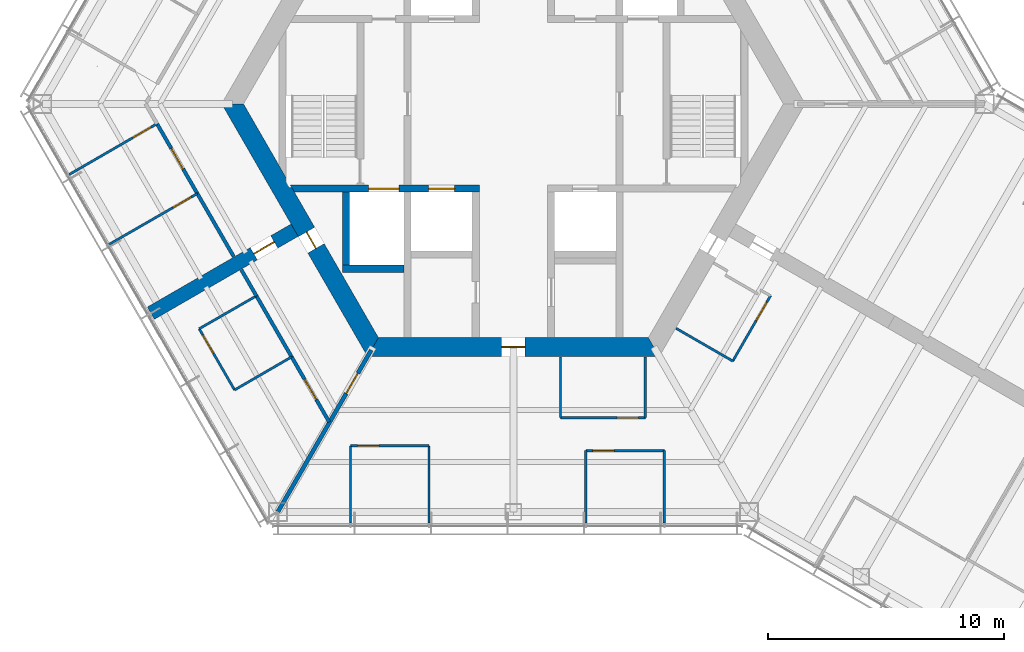
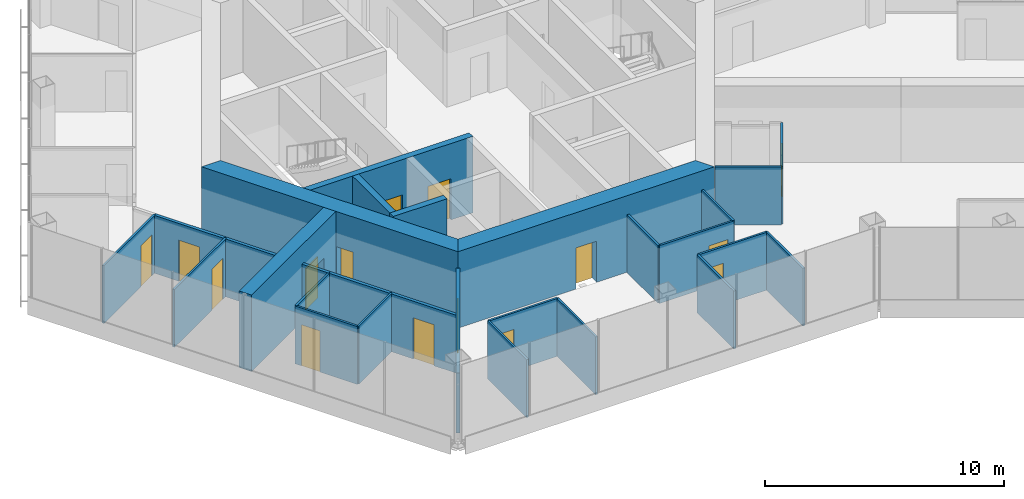
# One storey, part 10 of 17: 28 walls, 15 doors, 15 openings.
"""IFC4 building model written with IfcOpenShell, lengths in metres."""

from ifc_helpers import new_model, si_unit, direction, frame, frame_2d, origin, place, context, subcontext, project, spatial, polyline, rectangle, outline, extrude, material, layer, layer_set, type_object, element, fill, save


model = new_model("IFC4")

# Units and contexts
model_context = context("Model", 3, precision=1e-05, world=origin(), true_north=direction((0.0, 1.0)))
body_context = subcontext(model_context, "Body", "Model", "MODEL_VIEW")
ifc_project = project(units=[si_unit("LENGTHUNIT", "METRE"), si_unit("AREAUNIT", "SQUARE_METRE"), si_unit("VOLUMEUNIT", "CUBIC_METRE"), si_unit("PLANEANGLEUNIT", "RADIAN"), si_unit("MASSUNIT", "GRAM", prefix="KILO")], contexts=[model_context])

# Site, building, storey
site_placement = place(None, origin())
site = spatial("IfcSite", under=ifc_project, at=site_placement, CompositionType="ELEMENT")
building_placement = place(site_placement, origin())
building = spatial("IfcBuilding", under=site, at=building_placement, Name="Kasaneha Research Tower", CompositionType="ELEMENT")
storey_placement = place(building_placement, frame((0.0, 0.0, 228.39990234375)))
storey = spatial("IfcBuildingStorey", under=building, at=storey_placement, Name="L57", CompositionType="ELEMENT", Elevation=228.39990234375)

# Wall, openings, doors
ifc_material_1 = material(Name="Concrete Fc60", Category="concrete")
ifc_layer_1 = layer(ifc_material_1, 0.300048828125)
ifc_layer_set_1 = layer_set([ifc_layer_1], Name="Core internal wall 300 Fc60")
wall_type_1 = type_object("IfcWallType", Name="Core internal wall 300 Fc60", PredefinedType="SHEAR", material=ifc_layer_set_1)
wall_1_placement = place(storey_placement, frame((-9.3818359375, -3.60009765625, 0.0), z_axis=(0.0, 0.0, 1.0), x_axis=(1.0, 0.0, 0.0)))
wall_1 = element("IfcWall", 1, at=wall_1_placement, inside=storey, type_object=wall_type_1, Name="Core wall W2W L57", PredefinedType="SHEAR", context=body_context, shape_type="SweptSolid", body=[
    extrude(outline(polyline([(0.086669921875, -0.14990234375), (3.23193359375, -0.14990234375), (4.531982421875, -0.14990234375), (5.781982421875, -0.14990234375), (6.882080078125, -0.14990234375), (7.931884765625, -0.14990234375), (7.931884765625, 0.14990234375), (6.882080078125, 0.14990234375), (5.781982421875, 0.14990234375), (4.531982421875, 0.14990234375), (3.23193359375, 0.14990234375), (-0.086669921875, 0.14990234375), (0.086669921875, -0.14990234375)])), origin(), (0.0, 0.0, 1.0), 3.900146484375),
])
opening_1_placement = place(wall_1_placement, frame((5.781982421875, 0.0, 0.0)))
opening_1 = element("IfcOpeningElement", 2, at=opening_1_placement, cuts=wall_1, Name="Opening LD-LH1-L57", PredefinedType="OPENING", context=body_context, shape_type="SweptSolid", body=[
    extrude(rectangle(XDim=1.10009765625, YDim=2.10009765625, at=frame_2d((0.550048828125, 1.050048828125))), frame((0.0, 0.16015625, 0.0), z_axis=(0.0, -1.0, 0.0), x_axis=(1.0, 0.0, 0.0)), (0.0, 0.0, 1.0), 0.320068359375),
])
opening_2_placement = place(wall_1_placement, frame((3.23193359375, 0.0, 0.0)))
opening_2 = element("IfcOpeningElement", 3, at=opening_2_placement, cuts=wall_1, Name="Opening LD-FL2-L57", PredefinedType="OPENING", context=body_context, shape_type="SweptSolid", body=[
    extrude(rectangle(XDim=1.300048828125, YDim=2.10009765625, at=frame_2d((0.64990234375, 1.050048828125))), frame((0.0, 0.16015625, 0.0), z_axis=(0.0, -1.0, 0.0), x_axis=(1.0, 0.0, 0.0)), (0.0, 0.0, 1.0), 0.320068359375),
])
ifc_material_2 = material(Name="Steel", Category="steel")
door_type_1 = type_object("IfcDoorType", Name="Lift landing door 1100x2100", OperationType="DOUBLE_DOOR_SLIDING", PredefinedType="DOOR", material=ifc_material_2)
door_1_placement = place(opening_1_placement, origin())
door_1 = element("IfcDoor", 4, at=door_1_placement, inside=storey, type_object=door_type_1, Name="Landing door LH1 LD-LH1-L57", OperationType="DOUBLE_DOOR_SLIDING", OverallHeight=2.10009765625, OverallWidth=1.10009765625, PredefinedType="DOOR", context=body_context, shape_type="SweptSolid", body=[
    extrude(rectangle(XDim=1.10009765625, YDim=2.10009765625, at=frame_2d((0.550048828125, 1.050048828125))), frame((0.0, 0.02490234375, 0.0), z_axis=(0.0, -1.0, 0.0), x_axis=(1.0, 0.0, 0.0)), (0.0, 0.0, 1.0), 0.050048828125),
])
fill(opening_1, door_1)
ifc_material_3 = material(Name="Steel", Category="steel")
door_type_2 = type_object("IfcDoorType", Name="Lift landing door 1300x2100", OperationType="DOUBLE_DOOR_SLIDING", PredefinedType="DOOR", material=ifc_material_3)
door_2_placement = place(opening_2_placement, origin())
door_2 = element("IfcDoor", 5, at=door_2_placement, inside=storey, type_object=door_type_2, Name="Landing door FL2 LD-FL2-L57", OperationType="DOUBLE_DOOR_SLIDING", OverallHeight=2.10009765625, OverallWidth=1.300048828125, PredefinedType="DOOR", context=body_context, shape_type="SweptSolid", body=[
    extrude(rectangle(XDim=1.300048828125, YDim=2.10009765625, at=frame_2d((0.64990234375, 1.050048828125))), frame((0.0, 0.02490234375, 0.0), z_axis=(0.0, -1.0, 0.0), x_axis=(1.0, 0.0, 0.0)), (0.0, 0.0, 1.0), 0.050048828125),
])
fill(opening_2, door_2)

# Walls
wall_2_placement = place(storey_placement, frame((-7.25, -7.0, 0.0), z_axis=(0.0, 0.0, 1.0), x_axis=(1.0, 0.0, 0.0)))
element("IfcWall", 6, at=wall_2_placement, inside=storey, type_object=wall_type_1, Name="Core wall F2S L57", PredefinedType="SHEAR", context=body_context, shape_type="SweptSolid", body=[
    extrude(rectangle(XDim=2.60009765625, YDim=0.300048828125, at=frame_2d((1.300048828125, 0.0))), origin(), (0.0, 0.0, 1.0), 3.900146484375),
])
wall_3_placement = place(storey_placement, frame((-7.10009765625, -3.75, 0.0), z_axis=(0.0, 0.0, 1.0), x_axis=(0.0, -1.0, 0.0)))
element("IfcWall", 7, at=wall_3_placement, inside=storey, type_object=wall_type_1, Name="Core wall F2W L57", PredefinedType="SHEAR", context=body_context, shape_type="SweptSolid", body=[
    extrude(rectangle(XDim=3.10009765625, YDim=0.300048828125, at=frame_2d((1.550048828125, 0.0))), origin(), (0.0, 0.0, 1.0), 3.900146484375),
])

# Wall, opening, door
ifc_material_4 = material(Name="Concrete Fc60", Category="concrete")
ifc_layer_2 = layer(ifc_material_4, 0.800048828125)
ifc_layer_set_2 = layer_set([ifc_layer_2], Name="Core wall 800 Fc60")
wall_type_2 = type_object("IfcWallType", Name="Core wall 800 Fc60", PredefinedType="SHEAR", material=ifc_layer_set_2)
wall_4_placement = place(storey_placement, frame((-11.92236328125, 0.0, 0.0), z_axis=(0.0, 0.0, 1.0), x_axis=(0.500004296715, -0.866022923061, 0.0)))
wall_4 = element("IfcWall", 8, at=wall_4_placement, inside=storey, type_object=wall_type_2, Name="Core wall 210 L57", PredefinedType="SHEAR", context=body_context, shape_type="SweptSolid", body=[
    extrude(outline(polyline([(-0.23095703125, -0.39990234375), (6.28125, -0.39990234375), (7.081298828125, -0.39990234375), (12.1533203125, -0.39990234375), (11.69140625, 0.39990234375), (7.081298828125, 0.39990234375), (6.28125, 0.39990234375), (0.23095703125, 0.39990234375), (-0.23095703125, -0.39990234375)])), origin(), (0.0, 0.0, 1.0), 3.900146484375),
])
opening_3_placement = place(wall_4_placement, frame((6.28125, 0.0, 0.0)))
opening_3 = element("IfcOpeningElement", 9, at=opening_3_placement, cuts=wall_4, Name="Opening L57-D06", PredefinedType="OPENING", context=body_context, shape_type="SweptSolid", body=[
    extrude(rectangle(XDim=0.800048828125, YDim=2.10009765625, at=frame_2d((0.39990234375, 1.050048828125))), frame((0.0, 0.41015625, 0.0), z_axis=(0.0, -1.0, 0.0), x_axis=(1.0, 0.0, 0.0)), (0.0, 0.0, 1.0), 0.820068359375),
])
ifc_material_5 = material(Name="Steel", Category="steel")
door_type_3 = type_object("IfcDoorType", Name="Riser access door FD60 800x2100", OperationType="NOTDEFINED", PredefinedType="DOOR", material=ifc_material_5)
door_3_placement = place(opening_3_placement, origin())
door_3 = element("IfcDoor", 10, at=door_3_placement, inside=storey, type_object=door_type_3, Name="Duct riser door L57-D06", OperationType="SINGLE_SWING_RIGHT", OverallHeight=2.10009765625, OverallWidth=0.800048828125, PredefinedType="DOOR", context=body_context, shape_type="SweptSolid", body=[
    extrude(rectangle(XDim=0.800048828125, YDim=2.10009765625, at=frame_2d((0.39990234375, 1.050048828125))), frame((0.0, 0.02490234375, 0.0), z_axis=(0.0, -1.0, 0.0), x_axis=(1.0, 0.0, 0.0)), (0.0, 0.0, 1.0), 0.050048828125),
])
fill(opening_3, door_3)

wall_5_placement = place(storey_placement, frame((-5.961181640625, -10.324951171875, 0.0), z_axis=(0.0, 0.0, 1.0), x_axis=(1.0, 0.0, 0.0)))
wall_5 = element("IfcWall", 11, at=wall_5_placement, inside=storey, type_object=wall_type_2, Name="Core wall 270 L57", PredefinedType="SHEAR", context=body_context, shape_type="SweptSolid", body=[
    extrude(outline(polyline([(-0.23095703125, -0.39990234375), (5.461181640625, -0.39990234375), (6.461181640625, -0.39990234375), (12.1533203125, -0.39990234375), (11.69140625, 0.39990234375), (6.461181640625, 0.39990234375), (5.461181640625, 0.39990234375), (0.23095703125, 0.39990234375), (-0.23095703125, -0.39990234375)])), origin(), (0.0, 0.0, 1.0), 3.900146484375),
])
opening_4_placement = place(wall_5_placement, frame((5.461181640625, 0.0, 0.0)))
opening_4 = element("IfcOpeningElement", 12, at=opening_4_placement, cuts=wall_5, Name="Opening L57-D03", PredefinedType="OPENING", context=body_context, shape_type="SweptSolid", body=[
    extrude(rectangle(XDim=1.0, YDim=2.10009765625, at=frame_2d((0.5, 1.050048828125))), frame((0.0, 0.41015625, 0.0), z_axis=(0.0, -1.0, 0.0), x_axis=(1.0, 0.0, 0.0)), (0.0, 0.0, 1.0), 0.820068359375),
])
ifc_material_6 = material(Name="Steel", Category="steel")
door_type_4 = type_object("IfcDoorType", Name="Fire door FD20 1000x2100", OperationType="NOTDEFINED", PredefinedType="DOOR", material=ifc_material_6)
door_4_placement = place(opening_4_placement, origin())
door_4 = element("IfcDoor", 13, at=door_4_placement, inside=storey, type_object=door_type_4, Name="Core door south L57-D03", OperationType="SINGLE_SWING_LEFT", OverallHeight=2.10009765625, OverallWidth=1.0, PredefinedType="DOOR", context=body_context, shape_type="SweptSolid", body=[
    extrude(rectangle(XDim=1.0, YDim=2.10009765625, at=frame_2d((0.5, 1.050048828125))), frame((0.0, 0.02490234375, 0.0), z_axis=(0.0, -1.0, 0.0), x_axis=(1.0, 0.0, 0.0)), (0.0, 0.0, 1.0), 0.050048828125),
])
fill(opening_4, door_4)

ifc_material_7 = material(Name="Gypsum board on steel studs, one layer each side", Category="steel")
ifc_layer_3 = layer(ifc_material_7, 0.10009765625)
ifc_layer_set_3 = layer_set([ifc_layer_3], Name="Office partition 100")
wall_type_3 = type_object("IfcWallType", Name="Office partition 100", PredefinedType="PARTITIONING", material=ifc_layer_set_3)
wall_6_placement = place(storey_placement, frame((-17.171142578125, -5.969970703125, 0.0), z_axis=(0.0, 0.0, 1.0), x_axis=(0.866548575966, 0.499092742374, 0.0)))
wall_6 = element("IfcWall", 14, at=wall_6_placement, inside=storey, type_object=wall_type_3, Name="Office partition FBN11 L57", PredefinedType="PARTITIONING", context=body_context, shape_type="SweptSolid", body=[
    extrude(rectangle(XDim=4.33056640625, YDim=0.10009765625, at=frame_2d((2.165283203125, 0.0))), origin(), (0.0, 0.0, 1.0), 2.9501953125),
])
opening_5_placement = place(wall_6_placement, frame((3.130615234375, 0.0, 0.0)))
opening_5 = element("IfcOpeningElement", 15, at=opening_5_placement, cuts=wall_6, Name="Opening L57-D37", PredefinedType="OPENING", context=body_context, shape_type="SweptSolid", body=[
    extrude(rectangle(XDim=0.89990234375, YDim=2.10009765625, at=frame_2d((0.449951171875, 1.050048828125))), frame((0.0, 0.06005859375, 0.0), z_axis=(0.0, -1.0, 0.0), x_axis=(1.0, 0.0, 0.0)), (0.0, 0.0, 1.0), 0.1201171875),
])
ifc_material_8 = material(Name="Timber veneer", Category="wood")
door_type_5 = type_object("IfcDoorType", Name="Office door 900x2100", OperationType="SINGLE_SWING_LEFT", PredefinedType="DOOR", material=ifc_material_8)
door_5_placement = place(opening_5_placement, origin())
door_5 = element("IfcDoor", 16, at=door_5_placement, inside=storey, type_object=door_type_5, Name="Workroom door L57-D37", OperationType="SINGLE_SWING_RIGHT", OverallHeight=2.10009765625, OverallWidth=0.89990234375, PredefinedType="DOOR", context=body_context, shape_type="SweptSolid", body=[
    extrude(rectangle(XDim=0.89990234375, YDim=2.10009765625, at=frame_2d((0.449951171875, 1.050048828125))), frame((0.0, 0.02490234375, 0.0), z_axis=(0.0, -1.0, 0.0), x_axis=(1.0, 0.0, 0.0)), (0.0, 0.0, 1.0), 0.050048828125),
])
fill(opening_5, door_5)

wall_7_placement = place(storey_placement, frame((-15.130615234375, -0.843017578125, 0.0), z_axis=(0.0, 0.0, 1.0), x_axis=(-0.865525911664, -0.500864149484, 0.0)))
wall_7 = element("IfcWall", 17, at=wall_7_placement, inside=storey, type_object=wall_type_3, Name="Office partition FBN12 L57", PredefinedType="PARTITIONING", context=body_context, shape_type="SweptSolid", body=[
    extrude(rectangle(XDim=4.3056640625, YDim=0.10009765625, at=frame_2d((2.15283203125, 0.0))), origin(), (0.0, 0.0, 1.0), 2.9501953125),
])
opening_6_placement = place(wall_7_placement, frame((0.300048828125, 0.0, 0.0)))
opening_6 = element("IfcOpeningElement", 18, at=opening_6_placement, cuts=wall_7, Name="Opening L57-D38", PredefinedType="OPENING", context=body_context, shape_type="SweptSolid", body=[
    extrude(rectangle(XDim=0.89990234375, YDim=2.10009765625, at=frame_2d((0.449951171875, 1.050048828125))), frame((0.0, 0.06005859375, 0.0), z_axis=(0.0, -1.0, 0.0), x_axis=(1.0, 0.0, 0.0)), (0.0, 0.0, 1.0), 0.1201171875),
])
door_6_placement = place(opening_6_placement, origin())
door_6 = element("IfcDoor", 19, at=door_6_placement, inside=storey, type_object=door_type_5, Name="Phone room door L57-D38", OperationType="SINGLE_SWING_LEFT", OverallHeight=2.10009765625, OverallWidth=0.89990234375, PredefinedType="DOOR", context=body_context, shape_type="SweptSolid", body=[
    extrude(rectangle(XDim=0.89990234375, YDim=2.10009765625, at=frame_2d((0.449951171875, 1.050048828125))), frame((0.0, 0.02490234375, 0.0), z_axis=(0.0, -1.0, 0.0), x_axis=(1.0, 0.0, 0.0)), (0.0, 0.0, 1.0), 0.050048828125),
])
fill(opening_6, door_6)

# Wall
wall_8_placement = place(storey_placement, frame((-13.337890625, -9.548095703125, 0.0), z_axis=(0.0, 0.0, 1.0), x_axis=(0.866833758708, 0.498597267105, 0.0)))
element("IfcWall", 20, at=wall_8_placement, inside=storey, type_object=wall_type_3, Name="Office partition FBS04 L57", PredefinedType="PARTITIONING", context=body_context, shape_type="SweptSolid", body=[
    extrude(rectangle(XDim=2.7998046875, YDim=0.10009765625, at=frame_2d((1.39990234375, 0.0))), origin(), (0.0, 0.0, 1.0), 2.9501953125),
])

# Wall, opening, door
wall_9_placement = place(storey_placement, frame((-11.837890625, -12.146240234375, 0.0), z_axis=(0.0, 0.0, 1.0), x_axis=(-0.499990139034, 0.866031096941, 0.0)))
wall_9 = element("IfcWall", 21, at=wall_9_placement, inside=storey, type_object=wall_type_3, Name="Office partition FBS05 L57", PredefinedType="PARTITIONING", context=body_context, shape_type="SweptSolid", body=[
    extrude(rectangle(XDim=3.0, YDim=0.10009765625, at=frame_2d((1.5, 0.0))), origin(), (0.0, 0.0, 1.0), 2.9501953125),
])
opening_7_placement = place(wall_9_placement, frame((1.800048828125, 0.0, 0.0)))
opening_7 = element("IfcOpeningElement", 22, at=opening_7_placement, cuts=wall_9, Name="Opening L57-D40", PredefinedType="OPENING", context=body_context, shape_type="SweptSolid", body=[
    extrude(rectangle(XDim=0.89990234375, YDim=2.10009765625, at=frame_2d((0.449951171875, 1.050048828125))), frame((0.0, 0.06005859375, 0.0), z_axis=(0.0, -1.0, 0.0), x_axis=(1.0, 0.0, 0.0)), (0.0, 0.0, 1.0), 0.1201171875),
])
door_7_placement = place(opening_7_placement, origin())
door_7 = element("IfcDoor", 23, at=door_7_placement, inside=storey, type_object=door_type_5, Name="Pantry door L57-D40", OperationType="SINGLE_SWING_RIGHT", OverallHeight=2.10009765625, OverallWidth=0.89990234375, PredefinedType="DOOR", context=body_context, shape_type="SweptSolid", body=[
    extrude(rectangle(XDim=0.89990234375, YDim=2.10009765625, at=frame_2d((0.449951171875, 1.050048828125))), frame((0.0, 0.02490234375, 0.0), z_axis=(0.0, -1.0, 0.0), x_axis=(1.0, 0.0, 0.0)), (0.0, 0.0, 1.0), 0.050048828125),
])
fill(opening_7, door_7)

# Walls
wall_10_placement = place(storey_placement, frame((-9.415283203125, -10.7421875, 0.0), z_axis=(0.0, 0.0, 1.0), x_axis=(-0.865195372903, -0.501434907746, 0.0)))
element("IfcWall", 24, at=wall_10_placement, inside=storey, type_object=wall_type_3, Name="Office partition FBS06 L57", PredefinedType="PARTITIONING", context=body_context, shape_type="SweptSolid", body=[
    extrude(rectangle(XDim=2.800048828125, YDim=0.10009765625, at=frame_2d((1.39990234375, 0.0))), origin(), (0.0, 0.0, 1.0), 2.9501953125),
])
wall_11_placement = place(storey_placement, frame((9.31298828125, -10.91943359375, 0.0), z_axis=(0.0, 0.0, 1.0), x_axis=(-0.865996920067, 0.500049332001, 0.0)))
element("IfcWall", 25, at=wall_11_placement, inside=storey, type_object=wall_type_3, Name="Office partition FCS03 L57", PredefinedType="PARTITIONING", context=body_context, shape_type="SweptSolid", body=[
    extrude(rectangle(XDim=2.780029296875, YDim=0.10009765625, at=frame_2d((1.39013671875, 0.0))), origin(), (0.0, 0.0, 1.0), 2.9501953125),
])

# Wall, opening, door
wall_12_placement = place(storey_placement, frame((10.9130859375, -8.148193359375, 0.0), z_axis=(0.0, 0.0, 1.0), x_axis=(-0.500028443584, -0.866008981251, 0.0)))
wall_12 = element("IfcWall", 26, at=wall_12_placement, inside=storey, type_object=wall_type_3, Name="Office partition FCS05 L57", PredefinedType="PARTITIONING", context=body_context, shape_type="SweptSolid", body=[
    extrude(rectangle(XDim=3.199951171875, YDim=0.10009765625, at=frame_2d((1.60009765625, 0.0))), origin(), (0.0, 0.0, 1.0), 2.9501953125),
])
opening_8_placement = place(wall_12_placement, frame((0.300048828125, 0.0, 0.0)))
opening_8 = element("IfcOpeningElement", 27, at=opening_8_placement, cuts=wall_12, Name="Opening L57-D43", PredefinedType="OPENING", context=body_context, shape_type="SweptSolid", body=[
    extrude(rectangle(XDim=0.89990234375, YDim=2.10009765625, at=frame_2d((0.449951171875, 1.050048828125))), frame((0.0, 0.06005859375, 0.0), z_axis=(0.0, -1.0, 0.0), x_axis=(1.0, 0.0, 0.0)), (0.0, 0.0, 1.0), 0.1201171875),
])
door_8_placement = place(opening_8_placement, origin())
door_8 = element("IfcDoor", 28, at=door_8_placement, inside=storey, type_object=door_type_5, Name="Pantry door L57-D43", OperationType="SINGLE_SWING_LEFT", OverallHeight=2.10009765625, OverallWidth=0.89990234375, PredefinedType="DOOR", context=body_context, shape_type="SweptSolid", body=[
    extrude(rectangle(XDim=0.89990234375, YDim=2.10009765625, at=frame_2d((0.449951171875, 1.050048828125))), frame((0.0, 0.02490234375, 0.0), z_axis=(0.0, -1.0, 0.0), x_axis=(1.0, 0.0, 0.0)), (0.0, 0.0, 1.0), 0.050048828125),
])
fill(opening_8, door_8)

# Wall
wall_13_placement = place(storey_placement, frame((-6.91552734375, -17.800537109375, 0.0), z_axis=(0.0, 0.0, 1.0), x_axis=(0.0, 1.0, 0.0)))
element("IfcWall", 29, at=wall_13_placement, inside=storey, type_object=wall_type_3, Name="Office partition FCS06 L57", PredefinedType="PARTITIONING", context=body_context, shape_type="SweptSolid", body=[
    extrude(rectangle(XDim=3.280029296875, YDim=0.10009765625, at=frame_2d((1.64013671875, 0.0))), origin(), (0.0, 0.0, 1.0), 2.9501953125),
])

# Wall, opening, door
wall_14_placement = place(storey_placement, frame((-6.91552734375, -14.5205078125, 0.0), z_axis=(0.0, 0.0, 1.0), x_axis=(1.0, 0.0, 0.0)))
wall_14 = element("IfcWall", 30, at=wall_14_placement, inside=storey, type_object=wall_type_3, Name="Office partition FCS07 L57", PredefinedType="PARTITIONING", context=body_context, shape_type="SweptSolid", body=[
    extrude(rectangle(XDim=3.3310546875, YDim=0.10009765625, at=frame_2d((1.66552734375, 0.0))), origin(), (0.0, 0.0, 1.0), 2.9501953125),
])
opening_9_placement = place(wall_14_placement, frame((0.300048828125, 0.0, 0.0)))
opening_9 = element("IfcOpeningElement", 31, at=opening_9_placement, cuts=wall_14, Name="Opening L57-D44", PredefinedType="OPENING", context=body_context, shape_type="SweptSolid", body=[
    extrude(rectangle(XDim=0.89990234375, YDim=2.10009765625, at=frame_2d((0.449951171875, 1.050048828125))), frame((0.0, 0.06005859375, 0.0), z_axis=(0.0, -1.0, 0.0), x_axis=(1.0, 0.0, 0.0)), (0.0, 0.0, 1.0), 0.1201171875),
])
door_9_placement = place(opening_9_placement, origin())
door_9 = element("IfcDoor", 32, at=door_9_placement, inside=storey, type_object=door_type_5, Name="Manager's office door L57-D44", OperationType="SINGLE_SWING_LEFT", OverallHeight=2.10009765625, OverallWidth=0.89990234375, PredefinedType="DOOR", context=body_context, shape_type="SweptSolid", body=[
    extrude(rectangle(XDim=0.89990234375, YDim=2.10009765625, at=frame_2d((0.449951171875, 1.050048828125))), frame((0.0, 0.02490234375, 0.0), z_axis=(0.0, -1.0, 0.0), x_axis=(1.0, 0.0, 0.0)), (0.0, 0.0, 1.0), 0.050048828125),
])
fill(opening_9, door_9)

# Walls
wall_15_placement = place(storey_placement, frame((-3.58447265625, -14.5205078125, 0.0), z_axis=(0.0, 0.0, 1.0), x_axis=(0.0, -1.0, 0.0)))
element("IfcWall", 33, at=wall_15_placement, inside=storey, type_object=wall_type_3, Name="Office partition FCS08 L57", PredefinedType="PARTITIONING", context=body_context, shape_type="SweptSolid", body=[
    extrude(rectangle(XDim=3.280029296875, YDim=0.10009765625, at=frame_2d((1.64013671875, 0.0))), origin(), (0.0, 0.0, 1.0), 2.9501953125),
])
wall_16_placement = place(storey_placement, frame((2.0, -13.324951171875, 0.0), z_axis=(0.0, 0.0, 1.0), x_axis=(0.0, 1.0, 0.0)))
element("IfcWall", 34, at=wall_16_placement, inside=storey, type_object=wall_type_3, Name="Office partition FCS13 L57", PredefinedType="PARTITIONING", context=body_context, shape_type="SweptSolid", body=[
    extrude(rectangle(XDim=2.579833984375, YDim=0.10009765625, at=frame_2d((1.2900390625, 0.0))), origin(), (0.0, 0.0, 1.0), 2.9501953125),
])

# Wall, opening, door
wall_17_placement = place(storey_placement, frame((5.60009765625, -13.324951171875, 0.0), z_axis=(0.0, 0.0, 1.0), x_axis=(-1.0, 0.0, 0.0)))
wall_17 = element("IfcWall", 35, at=wall_17_placement, inside=storey, type_object=wall_type_3, Name="Office partition FCS14 L57", PredefinedType="PARTITIONING", context=body_context, shape_type="SweptSolid", body=[
    extrude(rectangle(XDim=3.60009765625, YDim=0.10009765625, at=frame_2d((1.800048828125, 0.0))), origin(), (0.0, 0.0, 1.0), 2.9501953125),
])
opening_10_placement = place(wall_17_placement, frame((0.300048828125, 0.0, 0.0)))
opening_10 = element("IfcOpeningElement", 36, at=opening_10_placement, cuts=wall_17, Name="Opening L57-D47", PredefinedType="OPENING", context=body_context, shape_type="SweptSolid", body=[
    extrude(rectangle(XDim=0.89990234375, YDim=2.10009765625, at=frame_2d((0.449951171875, 1.050048828125))), frame((0.0, 0.06005859375, 0.0), z_axis=(0.0, -1.0, 0.0), x_axis=(1.0, 0.0, 0.0)), (0.0, 0.0, 1.0), 0.1201171875),
])
door_10_placement = place(opening_10_placement, origin())
door_10 = element("IfcDoor", 37, at=door_10_placement, inside=storey, type_object=door_type_5, Name="Phone room door L57-D47", OperationType="SINGLE_SWING_LEFT", OverallHeight=2.10009765625, OverallWidth=0.89990234375, PredefinedType="DOOR", context=body_context, shape_type="SweptSolid", body=[
    extrude(rectangle(XDim=0.89990234375, YDim=2.10009765625, at=frame_2d((0.449951171875, 1.050048828125))), frame((0.0, 0.02490234375, 0.0), z_axis=(0.0, -1.0, 0.0), x_axis=(1.0, 0.0, 0.0)), (0.0, 0.0, 1.0), 0.050048828125),
])
fill(opening_10, door_10)

# Walls
wall_18_placement = place(storey_placement, frame((5.60009765625, -10.7451171875, 0.0), z_axis=(0.0, 0.0, 1.0), x_axis=(0.0, -1.0, 0.0)))
element("IfcWall", 38, at=wall_18_placement, inside=storey, type_object=wall_type_3, Name="Office partition FCS15 L57", PredefinedType="PARTITIONING", context=body_context, shape_type="SweptSolid", body=[
    extrude(rectangle(XDim=2.579833984375, YDim=0.10009765625, at=frame_2d((1.2900390625, 0.0))), origin(), (0.0, 0.0, 1.0), 2.9501953125),
])
wall_19_placement = place(storey_placement, frame((3.077392578125, -17.800537109375, 0.0), z_axis=(0.0, 0.0, 1.0), x_axis=(0.0, 1.0, 0.0)))
element("IfcWall", 39, at=wall_19_placement, inside=storey, type_object=wall_type_3, Name="Office partition FCS16 L57", PredefinedType="PARTITIONING", context=body_context, shape_type="SweptSolid", body=[
    extrude(rectangle(XDim=3.080078125, YDim=0.10009765625, at=frame_2d((1.5400390625, 0.0))), origin(), (0.0, 0.0, 1.0), 2.9501953125),
])

# Wall, opening, door
wall_20_placement = place(storey_placement, frame((3.077392578125, -14.720458984375, 0.0), z_axis=(0.0, 0.0, 1.0), x_axis=(1.0, 0.0, 0.0)))
wall_20 = element("IfcWall", 40, at=wall_20_placement, inside=storey, type_object=wall_type_3, Name="Office partition FCS17 L57", PredefinedType="PARTITIONING", context=body_context, shape_type="SweptSolid", body=[
    extrude(rectangle(XDim=3.330810546875, YDim=0.10009765625, at=frame_2d((1.66552734375, 0.0))), origin(), (0.0, 0.0, 1.0), 2.9501953125),
])
opening_11_placement = place(wall_20_placement, frame((0.300048828125, 0.0, 0.0)))
opening_11 = element("IfcOpeningElement", 41, at=opening_11_placement, cuts=wall_20, Name="Opening L57-D48", PredefinedType="OPENING", context=body_context, shape_type="SweptSolid", body=[
    extrude(rectangle(XDim=0.89990234375, YDim=2.10009765625, at=frame_2d((0.449951171875, 1.050048828125))), frame((0.0, 0.06005859375, 0.0), z_axis=(0.0, -1.0, 0.0), x_axis=(1.0, 0.0, 0.0)), (0.0, 0.0, 1.0), 0.1201171875),
])
door_11_placement = place(opening_11_placement, origin())
door_11 = element("IfcDoor", 42, at=door_11_placement, inside=storey, type_object=door_type_5, Name="Workroom door L57-D48", OperationType="SINGLE_SWING_LEFT", OverallHeight=2.10009765625, OverallWidth=0.89990234375, PredefinedType="DOOR", context=body_context, shape_type="SweptSolid", body=[
    extrude(rectangle(XDim=0.89990234375, YDim=2.10009765625, at=frame_2d((0.449951171875, 1.050048828125))), frame((0.0, 0.02490234375, 0.0), z_axis=(0.0, -1.0, 0.0), x_axis=(1.0, 0.0, 0.0)), (0.0, 0.0, 1.0), 0.050048828125),
])
fill(opening_11, door_11)

# Wall
wall_21_placement = place(storey_placement, frame((6.408203125, -14.720458984375, 0.0), z_axis=(0.0, 0.0, 1.0), x_axis=(0.0, -1.0, 0.0)))
element("IfcWall", 43, at=wall_21_placement, inside=storey, type_object=wall_type_3, Name="Office partition FCS18 L57", PredefinedType="PARTITIONING", context=body_context, shape_type="SweptSolid", body=[
    extrude(rectangle(XDim=3.080078125, YDim=0.10009765625, at=frame_2d((1.5400390625, 0.0))), origin(), (0.0, 0.0, 1.0), 2.9501953125),
])

# Wall, opening, door
ifc_material_9 = material(Name="Concrete Fc60", Category="concrete")
ifc_layer_4 = layer(ifc_material_9, 0.60009765625)
ifc_layer_set_4 = layer_set([ifc_layer_4], Name="Spine wall 600 Fc60")
wall_type_4 = type_object("IfcWallType", Name="Spine wall 600 Fc60", PredefinedType="SHEAR", material=ifc_layer_set_4)
wall_22_placement = place(storey_placement, frame((-9.2880859375, -5.362548828125, 0.0), z_axis=(0.0, 0.0, 1.0), x_axis=(-0.866027473358, -0.499996415376, 0.0)))
wall_22 = element("IfcWall", 44, at=wall_22_placement, inside=storey, type_object=wall_type_4, Name="Spine wall B L57", PredefinedType="SHEAR", context=body_context, shape_type="SweptSolid", body=[
    extrude(rectangle(XDim=7.04541015625, YDim=0.60009765625, at=frame_2d((3.522705078125, 0.0))), origin(), (0.0, 0.0, 1.0), 3.900146484375),
])
opening_12_placement = place(wall_22_placement, frame((1.0, 0.0, 0.0)))
opening_12 = element("IfcOpeningElement", 45, at=opening_12_placement, cuts=wall_22, Name="Opening L57-D19", PredefinedType="OPENING", context=body_context, shape_type="SweptSolid", body=[
    extrude(rectangle(XDim=1.0, YDim=2.10009765625, at=frame_2d((0.5, 1.050048828125))), frame((0.0, 0.31005859375, 0.0), z_axis=(0.0, -1.0, 0.0), x_axis=(1.0, 0.0, 0.0)), (0.0, 0.0, 1.0), 0.6201171875),
])
ifc_material_10 = material(Name="Steel", Category="steel")
door_type_6 = type_object("IfcDoorType", Name="Specified fire door FD60 1000x2100", OperationType="NOTDEFINED", PredefinedType="DOOR", material=ifc_material_10)
door_12_placement = place(opening_12_placement, origin())
door_12 = element("IfcDoor", 46, at=door_12_placement, inside=storey, type_object=door_type_6, Name="Spine doorway B L57-D19", OperationType="SINGLE_SWING_LEFT", OverallHeight=2.10009765625, OverallWidth=1.0, PredefinedType="DOOR", context=body_context, shape_type="SweptSolid", body=[
    extrude(rectangle(XDim=1.0, YDim=2.10009765625, at=frame_2d((0.5, 1.050048828125))), frame((0.0, 0.02490234375, 0.0), z_axis=(0.0, -1.0, 0.0), x_axis=(1.0, 0.0, 0.0)), (0.0, 0.0, 1.0), 0.050048828125),
])
fill(opening_12, door_12)

# Wall
ifc_material_11 = material(Name="Gypsum board on steel studs, two layers each side", Category="steel")
ifc_layer_5 = layer(ifc_material_11, 0.14990234375)
ifc_layer_set_5 = layer_set([ifc_layer_5], Name="Suite partition 150")
wall_type_5 = type_object("IfcWallType", Name="Suite partition 150", PredefinedType="PARTITIONING", material=ifc_layer_set_5)
wall_23_placement = place(storey_placement, frame((-11.873046875, -6.4853515625, 0.0), z_axis=(0.0, 0.0, 1.0), x_axis=(-0.499958760481, 0.866049212123, 0.0)))
element("IfcWall", 47, at=wall_23_placement, inside=storey, type_object=wall_type_5, Name="Suite partition FBN03 L57", PredefinedType="PARTITIONING", context=body_context, shape_type="SweptSolid", body=[
    extrude(rectangle(XDim=3.100341796875, YDim=0.14990234375, at=frame_2d((1.55029296875, 0.0))), origin(), (0.0, 0.0, 1.0), 2.9501953125),
])

# Wall, opening, door
wall_24_placement = place(storey_placement, frame((-13.41845703125, -3.80859375, 0.0), z_axis=(0.0, 0.0, 1.0), x_axis=(-0.499996058069, 0.866027679647, 0.0)))
wall_24 = element("IfcWall", 48, at=wall_24_placement, inside=storey, type_object=wall_type_5, Name="Suite partition FBN07 L57", PredefinedType="PARTITIONING", context=body_context, shape_type="SweptSolid", body=[
    extrude(rectangle(XDim=3.42431640625, YDim=0.14990234375, at=frame_2d((1.712158203125, 0.0))), origin(), (0.0, 0.0, 1.0), 2.9501953125),
])
opening_13_placement = place(wall_24_placement, frame((1.212158203125, 0.0, 0.0)))
opening_13 = element("IfcOpeningElement", 49, at=opening_13_placement, cuts=wall_24, Name="Opening L57-D34", PredefinedType="OPENING", context=body_context, shape_type="SweptSolid", body=[
    extrude(rectangle(XDim=1.0, YDim=2.10009765625, at=frame_2d((0.5, 1.050048828125))), frame((0.0, 0.0849609375, 0.0), z_axis=(0.0, -1.0, 0.0), x_axis=(1.0, 0.0, 0.0)), (0.0, 0.0, 1.0), 0.169921875),
])
ifc_material_12 = material(Name="Steel", Category="steel")
door_type_7 = type_object("IfcDoorType", Name="Suite entrance door FD60 1000x2100", OperationType="NOTDEFINED", PredefinedType="DOOR", material=ifc_material_12)
door_13_placement = place(opening_13_placement, origin())
door_13 = element("IfcDoor", 50, at=door_13_placement, inside=storey, type_object=door_type_7, Name="Suite entrance door L57-D34", OperationType="SINGLE_SWING_RIGHT", OverallHeight=2.10009765625, OverallWidth=1.0, PredefinedType="DOOR", context=body_context, shape_type="SweptSolid", body=[
    extrude(rectangle(XDim=1.0, YDim=2.10009765625, at=frame_2d((0.5, 1.050048828125))), frame((0.0, 0.02490234375, 0.0), z_axis=(0.0, -1.0, 0.0), x_axis=(1.0, 0.0, 0.0)), (0.0, 0.0, 1.0), 0.050048828125),
])
fill(opening_13, door_13)

# Walls
wall_25_placement = place(storey_placement, frame((-9.410400390625, -10.75048828125, 0.0), z_axis=(0.0, 0.0, 1.0), x_axis=(-0.500038395149, 0.8660032352, 0.0)))
element("IfcWall", 51, at=wall_25_placement, inside=storey, type_object=wall_type_5, Name="Suite partition FBS01 L57", PredefinedType="PARTITIONING", context=body_context, shape_type="SweptSolid", body=[
    extrude(rectangle(XDim=3.010009765625, YDim=0.14990234375, at=frame_2d((1.5048828125, 0.0))), origin(), (0.0, 0.0, 1.0), 2.9501953125),
])
wall_26_placement = place(storey_placement, frame((-10.910888671875, -8.152099609375, 0.0), z_axis=(0.0, 0.0, 1.0), x_axis=(-0.499859560919, 0.866106471144, 0.0)))
element("IfcWall", 52, at=wall_26_placement, inside=storey, type_object=wall_type_5, Name="Suite partition FBS02 L57", PredefinedType="PARTITIONING", context=body_context, shape_type="SweptSolid", body=[
    extrude(rectangle(XDim=1.284423828125, YDim=0.14990234375, at=frame_2d((0.64208984375, 0.0))), origin(), (0.0, 0.0, 1.0), 2.9501953125),
])

# Wall, opening, door
wall_27_placement = place(storey_placement, frame((-7.8203125, -13.5048828125, 0.0), z_axis=(0.0, 0.0, 1.0), x_axis=(-0.499983030129, 0.866035201123, 0.0)))
wall_27 = element("IfcWall", 53, at=wall_27_placement, inside=storey, type_object=wall_type_5, Name="Suite partition FBS03 L57", PredefinedType="PARTITIONING", context=body_context, shape_type="SweptSolid", body=[
    extrude(rectangle(XDim=3.18994140625, YDim=0.14990234375, at=frame_2d((1.594970703125, 0.0))), origin(), (0.0, 0.0, 1.0), 2.9501953125),
])
opening_14_placement = place(wall_27_placement, frame((1.094970703125, 0.0, 0.0)))
opening_14 = element("IfcOpeningElement", 54, at=opening_14_placement, cuts=wall_27, Name="Opening L57-D39", PredefinedType="OPENING", context=body_context, shape_type="SweptSolid", body=[
    extrude(rectangle(XDim=1.0, YDim=2.10009765625, at=frame_2d((0.5, 1.050048828125))), frame((0.0, 0.0849609375, 0.0), z_axis=(0.0, -1.0, 0.0), x_axis=(1.0, 0.0, 0.0)), (0.0, 0.0, 1.0), 0.169921875),
])
door_14_placement = place(opening_14_placement, origin())
door_14 = element("IfcDoor", 55, at=door_14_placement, inside=storey, type_object=door_type_7, Name="Suite entrance door L57-D39", OperationType="SINGLE_SWING_RIGHT", OverallHeight=2.10009765625, OverallWidth=1.0, PredefinedType="DOOR", context=body_context, shape_type="SweptSolid", body=[
    extrude(rectangle(XDim=1.0, YDim=2.10009765625, at=frame_2d((0.5, 1.050048828125))), frame((0.0, 0.02490234375, 0.0), z_axis=(0.0, -1.0, 0.0), x_axis=(1.0, 0.0, 0.0)), (0.0, 0.0, 1.0), 0.050048828125),
])
fill(opening_14, door_14)

ifc_material_13 = material(Name="Gypsum board on steel studs, two layers each side", Category="steel")
ifc_layer_6 = layer(ifc_material_13, 0.175048828125)
ifc_layer_set_6 = layer_set([ifc_layer_6], Name="Tenancy fire partition 175")
wall_type_6 = type_object("IfcWallType", Name="Tenancy fire partition 175", PredefinedType="PARTITIONING", material=ifc_layer_set_6)
wall_28_placement = place(storey_placement, frame((-6.034912109375, -10.45263671875, 0.0), z_axis=(0.0, 0.0, 1.0), x_axis=(-0.499989830942, -0.866031274813, 0.0)))
wall_28 = element("IfcWall", 56, at=wall_28_placement, inside=storey, type_object=wall_type_6, Name="Tenancy fire partition T240 L57", PredefinedType="PARTITIONING", context=body_context, shape_type="SweptSolid", body=[
    extrude(rectangle(XDim=7.930419921875, YDim=0.175048828125, at=frame_2d((3.96533203125, 0.0))), origin(), (0.0, 0.0, 1.0), 3.050048828125),
])
opening_15_placement = place(wall_28_placement, frame((1.1298828125, 0.0, 0.0)))
opening_15 = element("IfcOpeningElement", 57, at=opening_15_placement, cuts=wall_28, Name="Opening L57-D25", PredefinedType="OPENING", context=body_context, shape_type="SweptSolid", body=[
    extrude(rectangle(XDim=1.0, YDim=2.10009765625, at=frame_2d((0.5, 1.050048828125))), frame((0.0, 0.09765625, 0.0), z_axis=(0.0, -1.0, 0.0), x_axis=(1.0, 0.0, 0.0)), (0.0, 0.0, 1.0), 0.195068359375),
])
door_15_placement = place(opening_15_placement, origin())
door_15 = element("IfcDoor", 58, at=door_15_placement, inside=storey, type_object=door_type_7, Name="Connecting door L57-D25", OperationType="SINGLE_SWING_LEFT", OverallHeight=2.10009765625, OverallWidth=1.0, PredefinedType="DOOR", context=body_context, shape_type="SweptSolid", body=[
    extrude(rectangle(XDim=1.0, YDim=2.10009765625, at=frame_2d((0.5, 1.050048828125))), frame((0.0, 0.02490234375, 0.0), z_axis=(0.0, -1.0, 0.0), x_axis=(1.0, 0.0, 0.0)), (0.0, 0.0, 1.0), 0.050048828125),
])
fill(opening_15, door_15)

save(model, "model.ifc")
